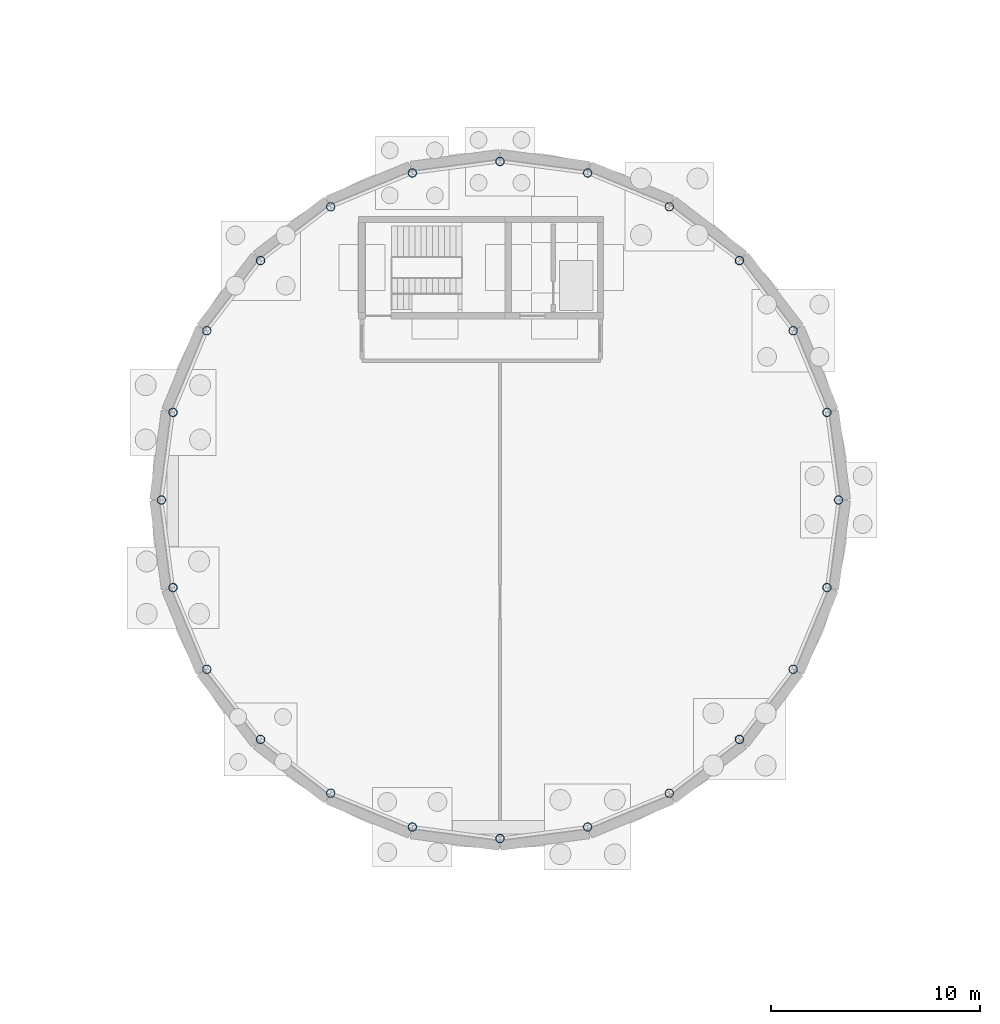
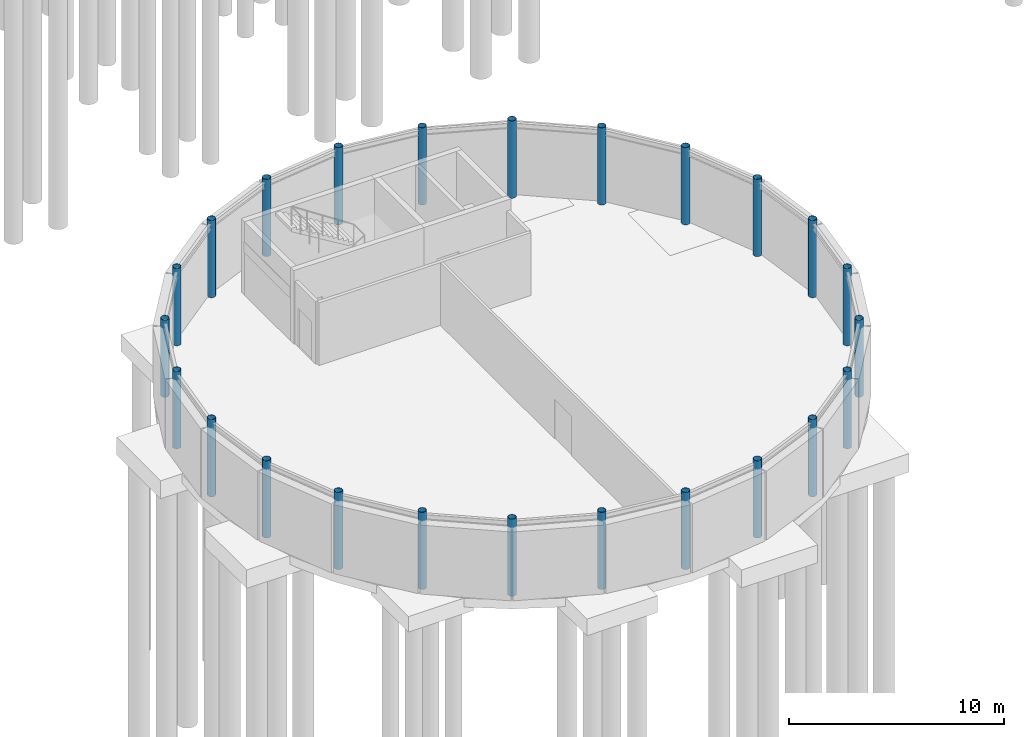
# One storey, part 10 of 33: 24 columns.
"""IFC4 building model written with IfcOpenShell, lengths in metres."""

from ifc_helpers import new_model, si_unit, direction, frame, origin, origin_2d, place, context, subcontext, project, spatial, hollow_circle, extrude, material, material_profile, profile_set, type_object, element, save


model = new_model("IFC4")

# Units and contexts
model_context = context("Model", 3, precision=1e-05, world=origin(), true_north=direction((0.0, 1.0)))
body_context = subcontext(model_context, "Body", "Model", "MODEL_VIEW")
ifc_project = project(units=[si_unit("LENGTHUNIT", "METRE"), si_unit("AREAUNIT", "SQUARE_METRE"), si_unit("VOLUMEUNIT", "CUBIC_METRE"), si_unit("PLANEANGLEUNIT", "RADIAN"), si_unit("MASSUNIT", "GRAM", prefix="KILO")], contexts=[model_context])

# Site, building, storey
site_placement = place(None, origin())
site = spatial("IfcSite", under=ifc_project, at=site_placement, CompositionType="ELEMENT")
building_placement = place(site_placement, origin())
building = spatial("IfcBuilding", under=site, at=building_placement, Name="Montecoro Central Library", CompositionType="ELEMENT")
storey_placement = place(building_placement, frame((0.0, 0.0, -4.419921875)))
storey = spatial("IfcBuildingStorey", under=building, at=storey_placement, Name="B1", CompositionType="ELEMENT", Elevation=-4.419921875)

# Columns
ifc_material = material(Name="Steel S355J2", Category="steel")
ifc_material_profile = material_profile(ifc_material, hollow_circle(Radius=0.203125, WallThickness=0.01611328125, at=origin_2d()), Name="CHS 406.4x16.0")
ifc_profile_set = profile_set([ifc_material_profile], Name="Steel S355J2")
column_type = type_object("IfcColumnType", Name="COL-CHS406", PredefinedType="COLUMN", material=ifc_profile_set)
for number, where, z_axis, x_axis, name in (
    (1, (107.780029296875, 35.39990234375, 0.0), (0.0, 0.0, 1.0), (1.0, 0.0, 0.0), "V1-B1-DCOL-01"),
    (2, (107.22900390625, 39.587890625, 0.0), (0.0, 0.0, 1.0), (1.0, 0.0, 0.0), "V1-B1-DCOL-02"),
    (3, (105.612060546875, 43.489990234375, 0.0), (0.0, 0.0, 1.0), (1.0, 0.0, 0.0), "V1-B1-DCOL-03"),
    (4, (103.041015625, 46.841064453125, 0.0), (0.0, 0.0, 1.0), (1.0, 0.0, 0.0), "V1-B1-DCOL-04"),
    (5, (99.68994140625, 49.412109375, 0.0), (0.0, 0.0, 1.0), (1.0, 0.0, 0.0), "V1-B1-DCOL-05"),
    (6, (95.7880859375, 51.029052734375, 0.0), (0.0, 0.0, 1.0), (1.0, 0.0, 0.0), "V1-B1-DCOL-06"),
    (7, (91.60009765625, 51.580078125, 0.0), (0.0, 0.0, 1.0), (1.0, 0.0, 0.0), "V1-B1-DCOL-07"),
    (8, (87.412109375, 51.029052734375, 0.0), (0.0, 0.0, 1.0), (1.0, 0.0, 0.0), "V1-B1-DCOL-08"),
    (9, (83.510009765625, 49.412109375, 0.0), (0.0, 0.0, 1.0), (1.0, 0.0, 0.0), "V1-B1-DCOL-09"),
    (10, (80.158935546875, 46.841064453125, 0.0), (0.0, 0.0, 1.0), (1.0, 0.0, 0.0), "V1-B1-DCOL-10"),
    (11, (77.587890625, 43.489990234375, 0.0), (0.0, 0.0, 1.0), (1.0, 0.0, 0.0), "V1-B1-DCOL-11"),
    (12, (75.970947265625, 39.587890625, 0.0), (0.0, 0.0, 1.0), (1.0, 0.0, 0.0), "V1-B1-DCOL-12"),
    (13, (75.419921875, 35.39990234375, 0.0), (0.0, 0.0, 1.0), (1.0, 0.0, 0.0), "V1-B1-DCOL-13"),
    (14, (75.970947265625, 31.2119140625, 0.0), (0.0, 0.0, 1.0), (1.0, 0.0, 0.0), "V1-B1-DCOL-14"),
    (15, (77.587890625, 27.31005859375, 0.0), (0.0, 0.0, 1.0), (1.0, 0.0, 0.0), "V1-B1-DCOL-15"),
    (16, (80.158935546875, 23.958984375, 0.0), (0.0, 0.0, 1.0), (1.0, 0.0, 0.0), "V1-B1-DCOL-16"),
    (17, (83.510009765625, 21.387939453125, 0.0), (0.0, 0.0, 1.0), (1.0, 0.0, 0.0), "V1-B1-DCOL-17"),
    (18, (87.412109375, 19.77099609375, 0.0), (0.0, 0.0, 1.0), (1.0, 0.0, 0.0), "V1-B1-DCOL-18"),
    (19, (91.60009765625, 19.219970703125, 0.0), (0.0, 0.0, 1.0), (1.0, 0.0, 0.0), "V1-B1-DCOL-19"),
    (20, (95.7880859375, 19.77099609375, 0.0), (0.0, 0.0, 1.0), (1.0, 0.0, 0.0), "V1-B1-DCOL-20"),
    (21, (99.68994140625, 21.387939453125, 0.0), (0.0, 0.0, 1.0), (1.0, 0.0, 0.0), "V1-B1-DCOL-21"),
    (22, (103.041015625, 23.958984375, 0.0), (0.0, 0.0, 1.0), (1.0, 0.0, 0.0), "V1-B1-DCOL-22"),
    (23, (105.612060546875, 27.31005859375, 0.0), (0.0, 0.0, 1.0), (1.0, 0.0, 0.0), "V1-B1-DCOL-23"),
    (24, (107.22900390625, 31.2119140625, 0.0), (0.0, 0.0, 1.0), (1.0, 0.0, 0.0), "V1-B1-DCOL-24"),
):
    element("IfcColumn", number, at=place(storey_placement, frame(where, z_axis=z_axis, x_axis=x_axis)), inside=storey, type_object=column_type, Name=name, PredefinedType="COLUMN", context=body_context, shape_type="SweptSolid", body=[
        extrude(hollow_circle(Radius=0.203125, WallThickness=0.01611328125, at=origin_2d()), origin(), (0.0, 0.0, 1.0), 4.39501953125),
    ])

save(model, "model.ifc")
